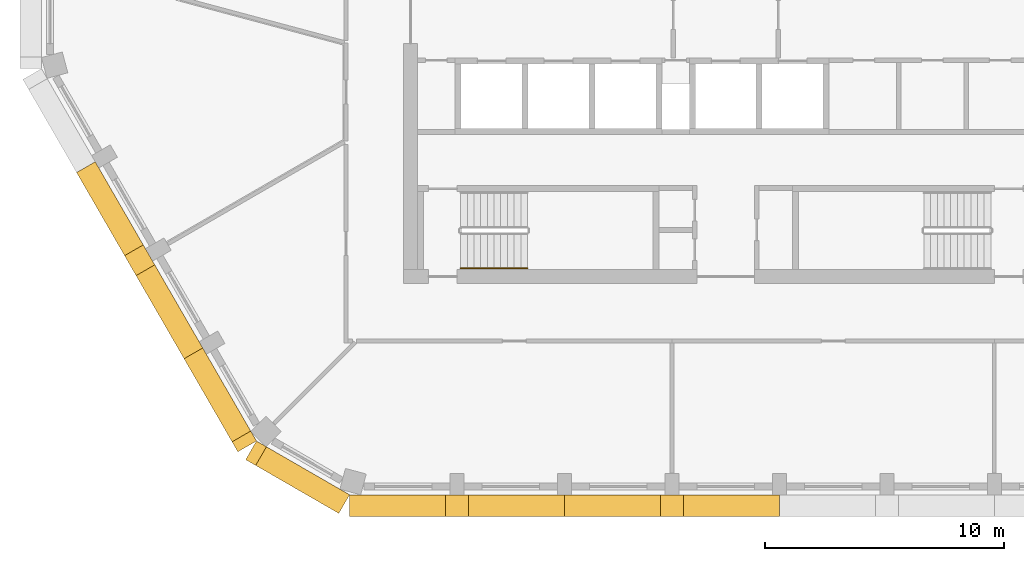
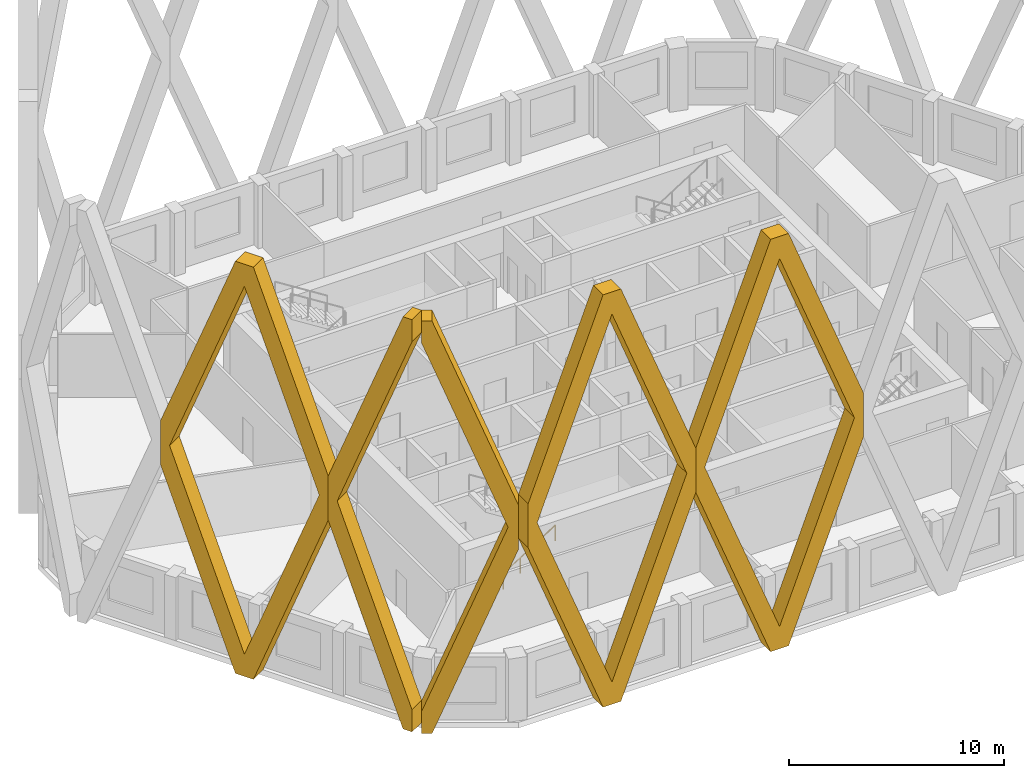
# One storey, part 8 of 14: 5 coverings, 1 railing.
"""IFC4 building model written with IfcOpenShell, lengths in metres."""

from ifc_helpers import new_model, si_unit, direction, frame, origin, origin_2d, place, context, subcontext, project, spatial, polyline, circle, outline, extrude, material, type_object, element, save


model = new_model("IFC4")

# Units and contexts
model_context = context("Model", 3, precision=1e-05, world=origin(), true_north=direction((0.0, 1.0)))
body_context = subcontext(model_context, "Body", "Model", "MODEL_VIEW")
ifc_project = project(units=[si_unit("LENGTHUNIT", "METRE"), si_unit("AREAUNIT", "SQUARE_METRE"), si_unit("VOLUMEUNIT", "CUBIC_METRE"), si_unit("PLANEANGLEUNIT", "RADIAN"), si_unit("MASSUNIT", "GRAM", prefix="KILO")], contexts=[model_context])

# Site, building, storey
site_placement = place(None, origin())
site = spatial("IfcSite", under=ifc_project, at=site_placement, CompositionType="ELEMENT")
building_placement = place(site_placement, origin())
building = spatial("IfcBuilding", under=site, at=building_placement, Name="Dhurran Vertical Campus", CompositionType="ELEMENT")
storey_placement = place(building_placement, frame((0.0, 0.0, 286.5)))
storey = spatial("IfcBuildingStorey", under=building, at=storey_placement, Name="L71", CompositionType="ELEMENT", Elevation=286.5)

# Coverings
ifc_material_1 = material(Name="Precast concrete C50/60", Category="concrete")
covering_type = type_object("IfcCoveringType", Name="Folded precast fin lattice diamond", PredefinedType="USERDEFINED", material=ifc_material_1)
for number, where, z_axis, x_axis, name in (
    (1, (-15.75, -20.08837890625, 0.0), (0.0, -1.0, 0.0), (1.0, 0.0, 0.0), "FN1 L71.001"),
    (2, (-6.75, -20.08837890625, 0.0), (0.0, -1.0, 0.0), (1.0, 0.0, 0.0), "FN1 L71.002"),
):
    element("IfcCovering", number, at=place(storey_placement, frame(where, z_axis=z_axis, x_axis=x_axis)), inside=storey, type_object=covering_type, Name=name, ObjectType="FIN", PredefinedType="USERDEFINED", context=body_context, shape_type="SweptSolid", body=[
        extrude(outline(polyline([(9.0, 12.95361328125), (9.0, 10.4462890625), (4.982177734375, 0.0), (4.017822265625, 0.0), (0.0, 10.4462890625), (0.0, 12.95361328125), (4.017822265625, 23.39990234375), (4.982177734375, 23.39990234375), (9.0, 12.95361328125)]), holes=[polyline([(8.517822265625, 11.699951171875), (4.5, 22.146484375), (0.482177734375, 11.699951171875), (4.5, 1.253662109375), (8.517822265625, 11.699951171875)])]), origin(), (0.0, 0.0, 1.0), 0.900146484375),
    ])
covering_1_placement = place(storey_placement, frame((-26.397216796875, -6.147216796875, 0.0), z_axis=(-0.866013897511, -0.50001992892, 0.0), x_axis=(0.50001992892, -0.866013897511, 0.0)))
element("IfcCovering", 3, at=covering_1_placement, inside=storey, type_object=covering_type, Name="FN1 L71.022", ObjectType="FIN", PredefinedType="USERDEFINED", context=body_context, shape_type="SweptSolid", body=[
    extrude(outline(polyline([(9.0, 12.95361328125), (9.0, 10.4462890625), (4.982177734375, 0.0), (4.017822265625, 0.0), (0.0, 10.4462890625), (0.0, 12.95361328125), (4.017822265625, 23.39990234375), (4.982177734375, 23.39990234375), (9.0, 12.95361328125)]), holes=[polyline([(8.517822265625, 11.699951171875), (4.5, 22.146484375), (0.482177734375, 11.699951171875), (4.5, 1.253662109375), (8.517822265625, 11.699951171875)])]), origin(), (0.0, 0.0, 1.0), 0.89990234375),
])
covering_2_placement = place(storey_placement, frame((-21.897216796875, -13.94140625, 0.0), z_axis=(-0.866013897511, -0.50001992892, 0.0), x_axis=(0.50001992892, -0.866013897511, 0.0)))
element("IfcCovering", 4, at=covering_2_placement, inside=storey, type_object=covering_type, Name="FN1 L71.023", ObjectType="FIN", PredefinedType="USERDEFINED", context=body_context, shape_type="SweptSolid", body=[
    extrude(outline(polyline([(4.017822265625, 0.0), (0.0, 10.4462890625), (0.0, 12.95361328125), (4.017822265625, 23.39990234375), (4.5, 23.39990234375), (4.5, 22.146484375), (0.482177734375, 11.699951171875), (4.5, 1.253662109375), (4.5, 0.0), (4.017822265625, 0.0)])), origin(), (0.0, 0.0, 1.0), 0.89990234375),
])
covering_3_placement = place(storey_placement, frame((-19.647216796875, -17.83837890625, 0.0), z_axis=(-0.499902469156, -0.866081705922, 0.0), x_axis=(0.866081705922, -0.499902469156, 0.0)))
element("IfcCovering", 5, at=covering_3_placement, inside=storey, type_object=covering_type, Name="FN1 L71.024", ObjectType="FIN", PredefinedType="USERDEFINED", context=body_context, shape_type="SweptSolid", body=[
    extrude(outline(polyline([(4.5, 10.4462890625), (0.482177734375, 0.0), (0.0, 0.0), (0.0, 1.253662109375), (4.017822265625, 11.699951171875), (0.0, 22.146484375), (0.0, 23.39990234375), (0.482177734375, 23.39990234375), (4.5, 12.95361328125), (4.5, 10.4462890625)])), origin(), (0.0, 0.0, 1.0), 0.900146484375),
])

# Railing
ifc_material_2 = material(Name="Stainless steel handrail", Category="steel")
railing_type = type_object("IfcRailingType", Name="co-RL-HANDRAIL-900", PredefinedType="HANDRAIL", material=ifc_material_2)
railing_placement = place(storey_placement, frame((-11.10009765625, -10.60009765625, 0.17724609375)))
element("IfcRailing", 6, at=railing_placement, inside=storey, type_object=railing_type, Name="L71 ST3 stair handrail 1", PredefinedType="HANDRAIL", context=body_context, shape_type="SweptSolid", body=[
    extrude(circle(Radius=0.02392578125, at=origin_2d()), frame((0.0, 0.0, 0.8759765625), z_axis=(0.844908973607, 0.0, 0.534910110503), x_axis=(0.0, 1.0, 0.0)), (0.0, 0.0, 1.0), 3.31396484375),
    extrude(circle(Radius=0.02099609375, at=origin_2d()), origin(), (0.0, 0.0, 1.0), 0.851806640625),
    extrude(circle(Radius=0.02099609375, at=origin_2d()), frame((0.933349609375, 0.0, 0.5908203125)), (0.0, 0.0, 1.0), 0.851806640625),
    extrude(circle(Radius=0.02099609375, at=origin_2d()), frame((1.86669921875, 0.0, 1.181884765625)), (0.0, 0.0, 1.0), 0.851806640625),
    extrude(circle(Radius=0.02099609375, at=origin_2d()), frame((2.800048828125, 0.0, 1.772705078125)), (0.0, 0.0, 1.0), 0.851806640625),
])

save(model, "model.ifc")
